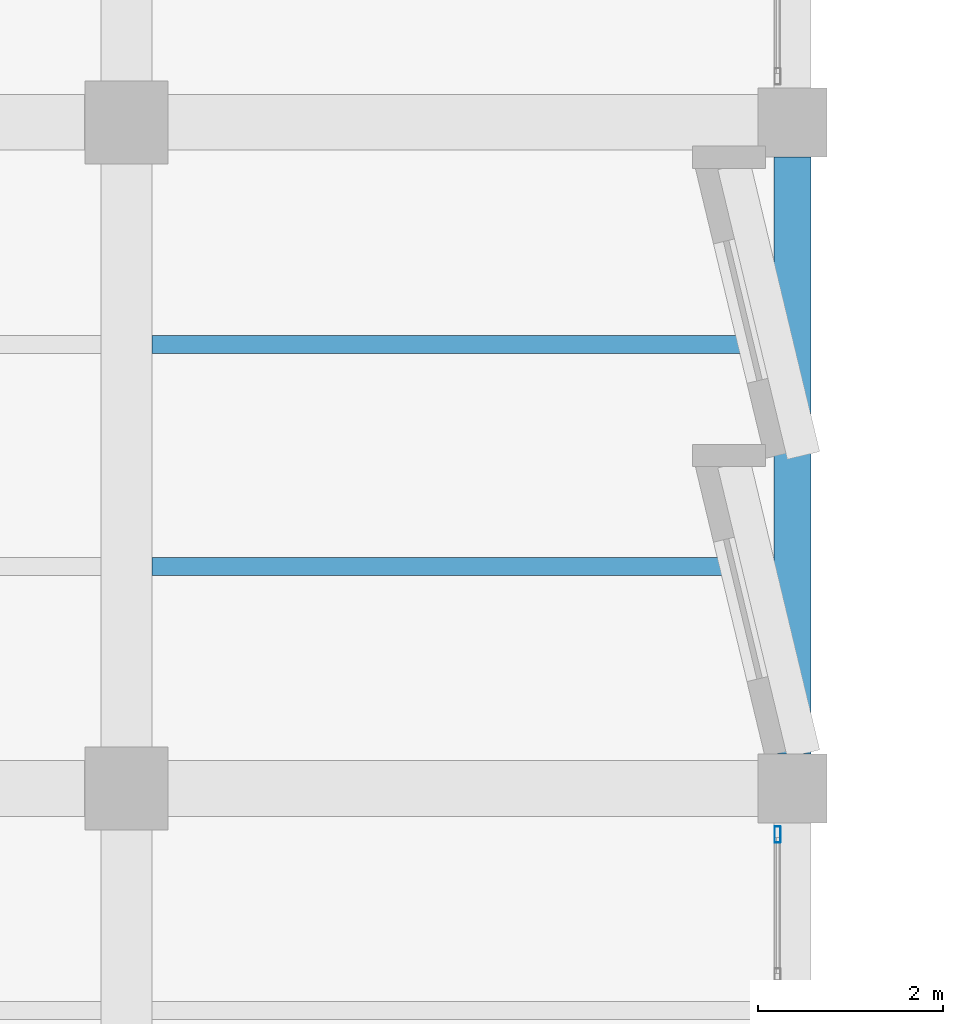
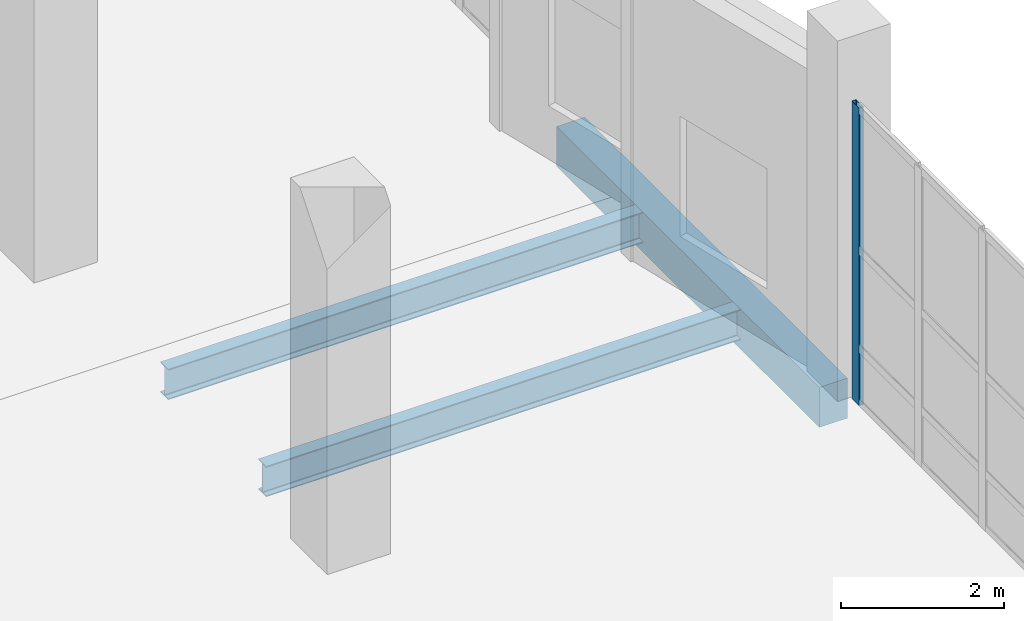
# One storey, part 20 of 137: 3 beams, 1 member, 1 element without a shape of its own.
"""IFC4 building model written with IfcOpenShell, lengths in metres."""

from ifc_helpers import new_model, si_unit, direction, frame, origin, origin_2d, place, context, subcontext, project, spatial, rectangle, hollow_rectangle, i_section, extrude, material, material_profile, profile_set, type_object, element, aggregate, save


model = new_model("IFC4")

# Units and contexts
model_context = context("Model", 3, precision=1e-05, world=origin(), true_north=direction((0.0, 1.0)))
body_context = subcontext(model_context, "Body", "Model", "MODEL_VIEW")
ifc_project = project(units=[si_unit("LENGTHUNIT", "METRE"), si_unit("AREAUNIT", "SQUARE_METRE"), si_unit("VOLUMEUNIT", "CUBIC_METRE"), si_unit("PLANEANGLEUNIT", "RADIAN"), si_unit("MASSUNIT", "GRAM", prefix="KILO")], contexts=[model_context])

# Site, building, storey
site_placement = place(None, origin())
site = spatial("IfcSite", under=ifc_project, at=site_placement, CompositionType="ELEMENT")
building_placement = place(site_placement, origin())
building = spatial("IfcBuilding", under=site, at=building_placement, Name="Kalmorath City Hall", CompositionType="ELEMENT")
storey_placement = place(building_placement, origin())
storey = spatial("IfcBuildingStorey", under=building, at=storey_placement, Name="L00", CompositionType="ELEMENT", Elevation=0.0)

# Beam
ifc_material_1 = material(Name="Concrete C40/50", Category="concrete")
ifc_material_profile_1 = material_profile(ifc_material_1, rectangle(XDim=0.39990234375, YDim=0.60009765625, at=origin_2d()), Name="RC-BM-400X600")
ifc_profile_set_1 = profile_set([ifc_material_profile_1], Name="Concrete C40/50")
beam_type_1 = type_object("IfcBeamType", Name="Concrete edge beam 400x600", PredefinedType="SPANDREL", material=ifc_profile_set_1)
beam_placement = place(storey_placement, frame((28.800048828125, 57.97509765625, -0.60400390625), z_axis=(0.0, 1.0, 0.0), x_axis=(-1.0, 0.0, 0.0)))
element("IfcBeam", 1, at=beam_placement, inside=storey, type_object=beam_type_1, Name="L00 girder CB6 Y5/9-10", PredefinedType="SPANDREL", context=body_context, shape_type="SweptSolid", body=[
    extrude(rectangle(XDim=0.39990234375, YDim=0.60009765625, at=origin_2d()), origin(), (0.0, 0.0, 1.0), 6.449951171875),
])

# Curtain wall, member
ifc_material_2 = material(Name="Anodised aluminium and laminated glass", Category="aluminium")
curtain_wall_type = type_object("IfcCurtainWallType", Name="Unitised hurricane curtain wall 6270x4461 M1600", PredefinedType="NOTDEFINED", material=ifc_material_2)
curtain_wall_placement = place(storey_placement, origin())
curtain_wall = element("IfcCurtainWall", 2, at=curtain_wall_placement, inside=storey, type_object=curtain_wall_type, Name="L00 curtain wall CW-63X45M16 #57", PredefinedType="NOTDEFINED")
ifc_material_3 = material(Name="Anodised aluminium framing", Category="aluminium")
ifc_material_profile_2 = material_profile(ifc_material_3, hollow_rectangle(XDim=0.06494140625, YDim=0.179931640625, WallThickness=0.00390625, InnerFilletRadius=0.00390625, OuterFilletRadius=0.008056640625, at=origin_2d()), Name="ALU-MUL-180X65X4")
ifc_profile_set_2 = profile_set([ifc_material_profile_2], Name="Anodised aluminium framing")
member_type = type_object("IfcMemberType", Name="Curtain-wall courtyard mullion 180x65", PredefinedType="MULLION", material=ifc_profile_set_2)
member_placement = place(storey_placement, frame((28.639892578125, 57.1025390625, 0.0), z_axis=(0.0, 0.0, 1.0), x_axis=(1.0, 0.0, 0.0)))
member = element("IfcMember", 3, at=member_placement, type_object=member_type, Name="CW-63X45M16 mullion 1", PredefinedType="MULLION", context=body_context, shape_type="SweptSolid", body=[
    extrude(hollow_rectangle(XDim=0.06494140625, YDim=0.179931640625, WallThickness=0.00390625, InnerFilletRadius=0.00390625, OuterFilletRadius=0.008056640625, at=origin_2d()), origin(), (0.0, 0.0, 1.0), 4.4609375),
])
aggregate(curtain_wall, [member])

# Beams
ifc_material_4 = material(Name="Steel ASTM A992 Grade 50", Category="steel")
ifc_material_profile_3 = material_profile(ifc_material_4, i_section(OverallWidth=0.19091796875, OverallDepth=0.45703125, WebThickness=0.009033203125, FlangeThickness=0.014404296875, FilletRadius=0.013916015625, at=origin_2d()), Name="W18X50")
ifc_profile_set_3 = profile_set([ifc_material_profile_3], Name="Steel ASTM A992 Grade 50")
beam_type_2 = type_object("IfcBeamType", Name="Steel composite joist W18X50", PredefinedType="JOIST", material=ifc_profile_set_3)
for number, where, z_axis, x_axis, name in (
    (4, (21.875, 60.0, -0.532470703125), (1.0, 0.0, 0.0), (0.0, 1.0, 0.0), "L00 joist SJ3 4.9.1"),
    (5, (21.875, 62.39990234375, -0.532470703125), (1.0, 0.0, 0.0), (0.0, 1.0, 0.0), "L00 joist SJ3 4.9.2"),
):
    element("IfcBeam", number, at=place(storey_placement, frame(where, z_axis=z_axis, x_axis=x_axis)), inside=storey, type_object=beam_type_2, Name=name, PredefinedType="JOIST", context=body_context, shape_type="SweptSolid", body=[
        extrude(i_section(OverallWidth=0.19091796875, OverallDepth=0.45703125, WebThickness=0.009033203125, FlangeThickness=0.014404296875, FilletRadius=0.013916015625, at=origin_2d()), origin(), (0.0, 0.0, 1.0), 6.72509765625),
    ])

save(model, "model.ifc")
